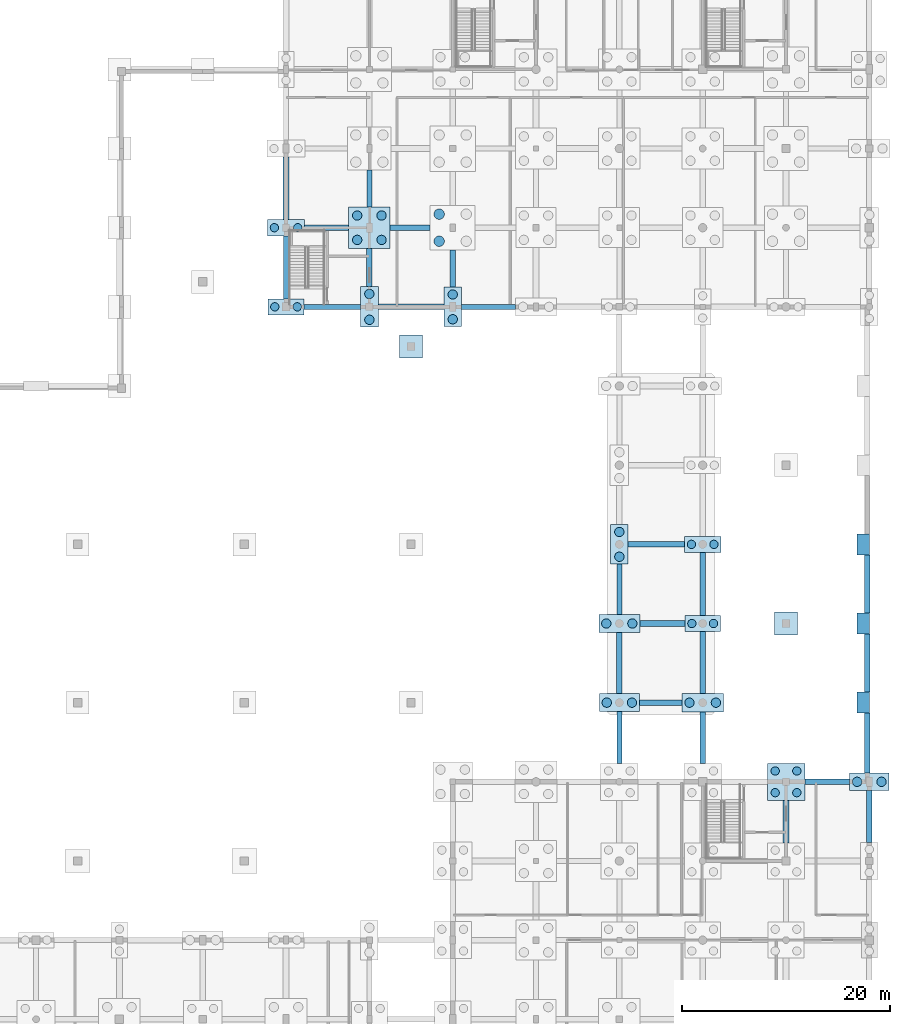
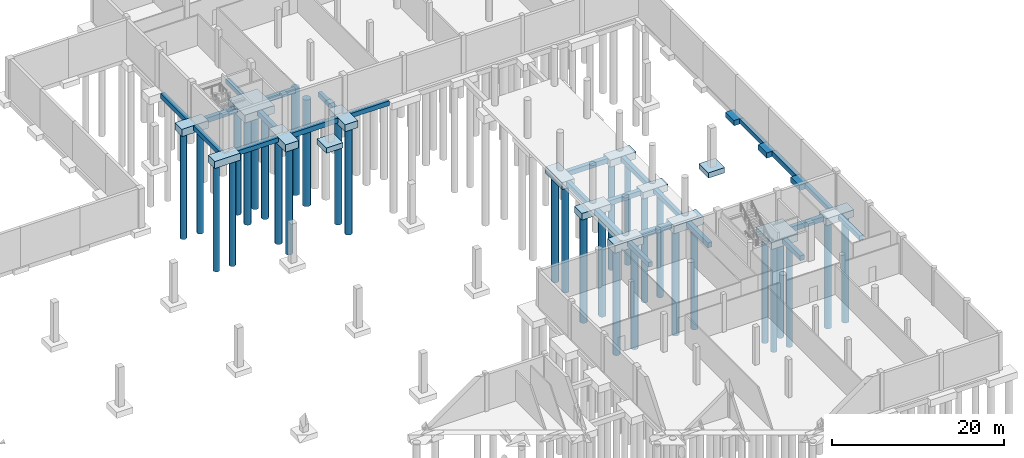
# One storey, part 14 of 44: 43 footings, 32 piles.
"""IFC4 building model written with IfcOpenShell, lengths in metres."""

import ifcopenshell
import ifcopenshell.guid

model = None  # the IFC model being written
_history = None  # IfcOwnerHistory: only IFC2X3 demands one
_inside = {}  # id of a spatial element -> (the spatial element, [elements in it])
_under = {}  # id of a project, library or spatial element -> (it, [spatial elements below it])
_declared = {}  # id of a project -> (the project, [libraries it declares])
_typed = {}  # id of a type object -> (the type object, [elements of that type])
_made_of = {}  # id of a material, layer set ... -> (it, [elements and type objects made of it])


def new_model(schema):
    """Start an empty IFC model of exactly this schema.

    Asked for "IFC4X3", IfcOpenShell would pick the latest addendum, in which some entities
    have other attributes; the version numbers below select the first issue.
    IFC2X3 requires an IfcOwnerHistory on every rooted entity: one is made here for all.
    """
    global model, _history
    if schema == "IFC4X3":
        model = ifcopenshell.file(schema_version=(4, 3, 0, 0))
    else:
        model = ifcopenshell.file(schema=schema)
    _inside.clear()
    _under.clear()
    _declared.clear()
    _typed.clear()
    _made_of.clear()
    _history = None
    if model.schema == "IFC2X3":
        org = make("IfcOrganization", Name="unknown")
        user = make(
            "IfcPersonAndOrganization",
            ThePerson=make("IfcPerson", FamilyName="unknown"),
            TheOrganization=org,
        )
        app = make(
            "IfcApplication",
            ApplicationDeveloper=org,
            Version="unknown",
            ApplicationFullName="unknown",
            ApplicationIdentifier="unknown",
        )
        _history = make(
            "IfcOwnerHistory",
            OwningUser=user,
            OwningApplication=app,
            ChangeAction="ADDED",
            CreationDate=0,
        )
    return model


def make(cls, **values):
    """One entity of the class cls with the attributes given. An attribute that is None is left unset."""
    return model.create_entity(
        cls, **{name: value for name, value in values.items() if value is not None}
    )


def rooted(cls, **values):
    """An entity with a GlobalId (a new one), such as an element, a storey or a relation."""
    return make(cls, GlobalId=ifcopenshell.guid.new(), OwnerHistory=_history, **values)


def si_unit(unit_type, name, prefix=None):
    """IfcSIUnit, for example si_unit("LENGTHUNIT", "METRE", prefix="MILLI")."""
    return make("IfcSIUnit", UnitType=unit_type, Prefix=prefix, Name=name)


def assignment(units):
    """IfcUnitAssignment: the units of a project."""
    return None if units is None else make("IfcUnitAssignment", Units=units)


def point(xyz):
    """IfcCartesianPoint."""
    return None if xyz is None else make("IfcCartesianPoint", Coordinates=xyz)


def direction(xyz):
    """IfcDirection."""
    return None if xyz is None else make("IfcDirection", DirectionRatios=xyz)


def frame(location, z_axis=None, x_axis=None):
    """IfcAxis2Placement3D, a coordinate frame: its origin and axes. An axis left out is left unset."""
    return make(
        "IfcAxis2Placement3D",
        Location=point(location),
        Axis=direction(z_axis),
        RefDirection=direction(x_axis),
    )


def frame_2d(location, x_axis=None):
    """IfcAxis2Placement2D, a coordinate frame in the plane: its origin and x axis."""
    return make(
        "IfcAxis2Placement2D", Location=point(location), RefDirection=direction(x_axis)
    )


def origin():
    """The frame at (0, 0, 0) with its axes left unset."""
    return frame((0.0, 0.0, 0.0))


def origin_2d():
    """The frame at (0, 0) in the plane with its x axis left unset."""
    return frame_2d((0.0, 0.0))


def place(relative_to, where):
    """IfcLocalPlacement: puts the frame where relative to a parent placement (None: the world)."""
    return make(
        "IfcLocalPlacement", PlacementRelTo=relative_to, RelativePlacement=where
    )


def context(
    kind, dimensions, precision=None, world=None, true_north=None, identifier=None
):
    """IfcGeometricRepresentationContext, for example the 3D "Model" context."""
    return make(
        "IfcGeometricRepresentationContext",
        ContextIdentifier=identifier,
        ContextType=kind,
        CoordinateSpaceDimension=dimensions,
        Precision=precision,
        WorldCoordinateSystem=world,
        TrueNorth=true_north,
    )


def subcontext(parent, identifier, kind, view, scale=None):
    """IfcGeometricRepresentationSubContext, for example "Body" below "Model"."""
    return make(
        "IfcGeometricRepresentationSubContext",
        ContextIdentifier=identifier,
        ContextType=kind,
        ParentContext=parent,
        TargetScale=scale,
        TargetView=view,
    )


def project(units=None, contexts=None):
    """IfcProject with its units and contexts."""
    return rooted(
        "IfcProject",
        Name="project",
        RepresentationContexts=contexts,
        UnitsInContext=assignment(units),
    )


def spatial(cls, under=None, at=None, **own):
    """A site, building, storey or space (cls), placed at a placement, below another one or the project."""
    s = rooted(cls, ObjectPlacement=at, **own)
    if under is not None:
        _under.setdefault(under.id(), (under, []))[1].append(s)
    return s


def polyline(points):
    """IfcPolyline through the points."""
    return make("IfcPolyline", Points=[point(p) for p in points])


def profile(cls, at=None, kind="AREA", **sizes):
    """A parametric profile (cls). Its sizes go by their IFC names, for example OverallWidth=200.0."""
    return make(cls, ProfileType=kind, Position=at, **sizes)


def circle(**sizes):
    """IfcCircleProfileDef."""
    return profile("IfcCircleProfileDef", **sizes)


def outline(outer, holes=None, kind="AREA"):
    """IfcArbitraryClosedProfileDef: a profile drawn as a closed curve; with holes, ...WithVoids."""
    if holes is None:
        return make("IfcArbitraryClosedProfileDef", ProfileType=kind, OuterCurve=outer)
    return make(
        "IfcArbitraryProfileDefWithVoids",
        ProfileType=kind,
        OuterCurve=outer,
        InnerCurves=holes,
    )


def extrude(swept, where, along, depth):
    """IfcExtrudedAreaSolid: the profile swept, set in the frame where, extruded along a direction by depth."""
    return make(
        "IfcExtrudedAreaSolid",
        SweptArea=swept,
        Position=where,
        ExtrudedDirection=direction(along),
        Depth=depth,
    )


def shape(context_of_items, identifier, shape_type, items):
    """IfcShapeRepresentation: the items that make up one representation, for example the "Body"."""
    return make(
        "IfcShapeRepresentation",
        ContextOfItems=context_of_items,
        RepresentationIdentifier=identifier,
        RepresentationType=shape_type,
        Items=items,
    )


def material(Name=None, Category=None):
    """IfcMaterial."""
    return make("IfcMaterial", Name=Name, Category=Category)


def material_profile(
    of_material, cross_section, Name=None, Category=None, Priority=None
):
    """IfcMaterialProfile: a cross section and its material."""
    return make(
        "IfcMaterialProfile",
        Name=Name,
        Material=of_material,
        Profile=cross_section,
        Priority=Priority,
        Category=Category,
    )


def profile_set(profiles, Name=None, composite=None):
    """IfcMaterialProfileSet."""
    return make(
        "IfcMaterialProfileSet",
        Name=Name,
        MaterialProfiles=profiles,
        CompositeProfile=composite,
    )


def made_of(thing, what):
    """Note that an element or type object is made of a material, layer set ...; save() writes the relation."""
    if what is not None:
        _made_of.setdefault(what.id(), (what, []))[1].append(thing)
    return thing


def type_object(cls, material=None, **own):
    """A type object (cls), such as IfcWallType, which elements share."""
    return made_of(rooted(cls, **own), material)


def element(
    cls,
    number,
    at=None,
    inside=None,
    cuts=None,
    type_object=None,
    material=None,
    context=None,
    identifier="Body",
    shape_type=None,
    held_by="IfcProductDefinitionShape",
    body=None,
    shapes=None,
    **own,
):
    """One element of the class cls, such as IfcWall. Its Tag is "e" and its number.

    at: its placement. inside: the storey or other place that contains it. cuts: it is an
    opening in that element (IfcRelVoidsElement). A single representation is given by context,
    identifier, shape_type and body (its items); several are given by shapes. held_by: the class
    of the entity that holds the representations. save() writes the other relations.
    """
    e = rooted(cls, Tag="e%d" % number, ObjectPlacement=at, **own)
    if body is not None:
        shapes = [shape(context, identifier, shape_type, body)]
    if shapes is not None:
        e.Representation = make(held_by, Representations=shapes)
    if inside is not None:
        _inside.setdefault(inside.id(), (inside, []))[1].append(e)
    if cuts is not None:
        rooted(
            "IfcRelVoidsElement", RelatingBuildingElement=cuts, RelatedOpeningElement=e
        )
    if type_object is not None:
        _typed.setdefault(type_object.id(), (type_object, []))[1].append(e)
    return made_of(e, material)


def aggregate(whole, parts):
    """IfcRelAggregates: a whole, such as a stair, and the parts it consists of."""
    return rooted("IfcRelAggregates", RelatingObject=whole, RelatedObjects=parts)


def save(model, path):
    """Write the relations noted so far, then the file.

    IfcRelAggregates (storeys below a building ...), IfcRelContainedInSpatialStructure (elements
    in a storey), IfcRelDefinesByType, IfcRelAssociatesMaterial and IfcRelDeclares: one each for
    every whole, place, type object, material and project.
    """
    for whole, parts in _under.values():
        aggregate(whole, parts)
    for where, things in _inside.values():
        rooted(
            "IfcRelContainedInSpatialStructure",
            RelatedElements=things,
            RelatingStructure=where,
        )
    for kind, things in _typed.values():
        rooted("IfcRelDefinesByType", RelatedObjects=things, RelatingType=kind)
    for what, things in _made_of.values():
        rooted("IfcRelAssociatesMaterial", RelatedObjects=things, RelatingMaterial=what)
    for by, libraries in _declared.values():
        rooted("IfcRelDeclares", RelatingContext=by, RelatedDefinitions=libraries)
    model.write(path)


model = new_model("IFC4")

# Units and contexts
model_context = context("Model", 3, precision=1e-05, world=origin(), true_north=direction((0.0, 1.0)))
body_context = subcontext(model_context, "Body", "Model", "MODEL_VIEW")
ifc_project = project(units=[si_unit("LENGTHUNIT", "METRE"), si_unit("AREAUNIT", "SQUARE_METRE"), si_unit("VOLUMEUNIT", "CUBIC_METRE"), si_unit("PLANEANGLEUNIT", "RADIAN"), si_unit("MASSUNIT", "GRAM", prefix="KILO")], contexts=[model_context])

# Site, building, storey
site_placement = place(None, origin())
site = spatial("IfcSite", under=ifc_project, at=site_placement, CompositionType="ELEMENT")
building_placement = place(site_placement, origin())
building = spatial("IfcBuilding", under=site, at=building_placement, Name="Khelvaren Railside Concert Hall", CompositionType="ELEMENT")
storey_placement = place(building_placement, frame((0.0, 0.0, -5.39990234375)))
storey = spatial("IfcBuildingStorey", under=building, at=storey_placement, Name="B1", CompositionType="ELEMENT", Elevation=-5.39990234375)

# Piles
ifc_material = material(Name="Concrete C35/45", Category="concrete")
ifc_material_profile_1 = material_profile(ifc_material, circle(Radius=0.449951171875, at=origin_2d()), Name="BP D900")
ifc_profile_set_1 = profile_set([ifc_material_profile_1], Name="Concrete C35/45")
pile_type_1 = type_object("IfcPileType", Name="BP51", PredefinedType="BORED", material=ifc_profile_set_1)
for number, where, z_axis, x_axis, name in (
    (1, (136.0, 82.360107421875, -1.4501953125), (0.0, 0.0, -1.0), (1.0, 0.0, 0.0), "Bored Pile BP51 PC-V5-154-1"),
    (2, (136.0, 84.840087890625, -1.4501953125), (0.0, 0.0, -1.0), (1.0, 0.0, 0.0), "Bored Pile BP51 PC-V5-154-2"),
):
    element("IfcPile", number, at=place(storey_placement, frame(where, z_axis=z_axis, x_axis=x_axis)), inside=storey, type_object=pile_type_1, Name=name, PredefinedType="BORED", context=body_context, shape_type="SweptSolid", body=[
        extrude(circle(Radius=0.449951171875, at=origin_2d()), origin(), (0.0, 0.0, 1.0), 15.14990234375),
    ])
for number, where, z_axis, x_axis, name in (
    (3, (134.830078125, 90.030029296875, -1.5), (0.0, 0.0, -1.0), (1.0, 0.0, 0.0), "Bored Pile BP51 PC-V5-155-1"),
    (4, (137.169921875, 90.030029296875, -1.5), (0.0, 0.0, -1.0), (1.0, 0.0, 0.0), "Bored Pile BP51 PC-V5-155-2"),
    (5, (134.830078125, 92.3701171875, -1.5), (0.0, 0.0, -1.0), (1.0, 0.0, 0.0), "Bored Pile BP51 PC-V5-155-3"),
    (6, (137.169921875, 92.3701171875, -1.5), (0.0, 0.0, -1.0), (1.0, 0.0, 0.0), "Bored Pile BP51 PC-V5-155-4"),
):
    element("IfcPile", number, at=place(storey_placement, frame(where, z_axis=z_axis, x_axis=x_axis)), inside=storey, type_object=pile_type_1, Name=name, PredefinedType="BORED", context=body_context, shape_type="SweptSolid", body=[
        extrude(circle(Radius=0.449951171875, at=origin_2d()), origin(), (0.0, 0.0, 1.0), 15.10009765625),
    ])
for number, where, z_axis, x_axis, name in (
    (7, (144.0, 82.409912109375, -1.400146484375), (0.0, 0.0, -1.0), (1.0, 0.0, 0.0), "Bored Pile BP51 PC-V5-165-1"),
    (8, (144.0, 84.7900390625, -1.400146484375), (0.0, 0.0, -1.0), (1.0, 0.0, 0.0), "Bored Pile BP51 PC-V5-165-2"),
):
    element("IfcPile", number, at=place(storey_placement, frame(where, z_axis=z_axis, x_axis=x_axis)), inside=storey, type_object=pile_type_1, Name=name, PredefinedType="BORED", context=body_context, shape_type="SweptSolid", body=[
        extrude(circle(Radius=0.449951171875, at=origin_2d()), origin(), (0.0, 0.0, 1.0), 15.199951171875),
    ])
for number, where, z_axis, x_axis, name in (
    (9, (158.7900390625, 45.60009765625, -1.5), (0.0, 0.0, -1.0), (1.0, 0.0, 0.0), "Bored Pile BP51 PC-LB4-187-1"),
    (10, (161.2099609375, 45.60009765625, -1.5), (0.0, 0.0, -1.0), (1.0, 0.0, 0.0), "Bored Pile BP51 PC-LB4-187-2"),
):
    element("IfcPile", number, at=place(storey_placement, frame(where, z_axis=z_axis, x_axis=x_axis)), inside=storey, type_object=pile_type_1, Name=name, PredefinedType="BORED", context=body_context, shape_type="SweptSolid", body=[
        extrude(circle(Radius=0.449951171875, at=origin_2d()), origin(), (0.0, 0.0, 1.0), 15.10009765625),
    ])
for number, where, z_axis, x_axis, name in (
    (11, (158.75, 53.199951171875, -1.35009765625), (0.0, 0.0, -1.0), (1.0, 0.0, 0.0), "Bored Pile BP51 PC-LB4-188-1"),
    (12, (161.25, 53.199951171875, -1.35009765625), (0.0, 0.0, -1.0), (1.0, 0.0, 0.0), "Bored Pile BP51 PC-LB4-188-2"),
):
    element("IfcPile", number, at=place(storey_placement, frame(where, z_axis=z_axis, x_axis=x_axis)), inside=storey, type_object=pile_type_1, Name=name, PredefinedType="BORED", context=body_context, shape_type="SweptSolid", body=[
        extrude(circle(Radius=0.449951171875, at=origin_2d()), origin(), (0.0, 0.0, 1.0), 15.25),
    ])
for number, where, z_axis, x_axis, name in (
    (13, (160.0, 59.610107421875, -1.400146484375), (0.0, 0.0, -1.0), (1.0, 0.0, 0.0), "Bored Pile BP51 PC-LB4-189-1"),
    (14, (160.0, 61.989990234375, -1.400146484375), (0.0, 0.0, -1.0), (1.0, 0.0, 0.0), "Bored Pile BP51 PC-LB4-189-2"),
):
    element("IfcPile", number, at=place(storey_placement, frame(where, z_axis=z_axis, x_axis=x_axis)), inside=storey, type_object=pile_type_1, Name=name, PredefinedType="BORED", context=body_context, shape_type="SweptSolid", body=[
        extrude(circle(Radius=0.449951171875, at=origin_2d()), origin(), (0.0, 0.0, 1.0), 15.199951171875),
    ])
for number, where, z_axis, x_axis, name in (
    (15, (166.72998046875, 45.60009765625, -1.5), (0.0, 0.0, -1.0), (1.0, 0.0, 0.0), "Bored Pile BP51 PC-LB4-203-1"),
    (16, (169.27001953125, 45.60009765625, -1.5), (0.0, 0.0, -1.0), (1.0, 0.0, 0.0), "Bored Pile BP51 PC-LB4-203-2"),
):
    element("IfcPile", number, at=place(storey_placement, frame(where, z_axis=z_axis, x_axis=x_axis)), inside=storey, type_object=pile_type_1, Name=name, PredefinedType="BORED", context=body_context, shape_type="SweptSolid", body=[
        extrude(circle(Radius=0.449951171875, at=origin_2d()), origin(), (0.0, 0.0, 1.0), 15.10009765625),
    ])
for number, where, z_axis, x_axis, name in (
    (17, (182.830078125, 38.0, -1.400146484375), (0.0, 0.0, -1.0), (1.0, 0.0, 0.0), "Bored Pile BP51 PC-V2-229-1"),
    (18, (185.169921875, 38.0, -1.400146484375), (0.0, 0.0, -1.0), (1.0, 0.0, 0.0), "Bored Pile BP51 PC-V2-229-2"),
):
    element("IfcPile", number, at=place(storey_placement, frame(where, z_axis=z_axis, x_axis=x_axis)), inside=storey, type_object=pile_type_1, Name=name, PredefinedType="BORED", context=body_context, shape_type="SweptSolid", body=[
        extrude(circle(Radius=0.449951171875, at=origin_2d()), origin(), (0.0, 0.0, 1.0), 15.199951171875),
    ])
ifc_material_profile_2 = material_profile(ifc_material, circle(Radius=0.39990234375, at=origin_2d()), Name="BP D800")
ifc_profile_set_2 = profile_set([ifc_material_profile_2], Name="Concrete C35/45")
pile_type_2 = type_object("IfcPileType", Name="BP84", PredefinedType="BORED", material=ifc_profile_set_2)
for number, where, z_axis, x_axis, name in (
    (19, (126.919921875, 83.60009765625, -1.400146484375), (0.0, 0.0, -1.0), (1.0, 0.0, 0.0), "Bored Pile BP84 PC-V5-145-1"),
    (20, (129.080078125, 83.60009765625, -1.400146484375), (0.0, 0.0, -1.0), (1.0, 0.0, 0.0), "Bored Pile BP84 PC-V5-145-2"),
):
    element("IfcPile", number, at=place(storey_placement, frame(where, z_axis=z_axis, x_axis=x_axis)), inside=storey, type_object=pile_type_2, Name=name, PredefinedType="BORED", context=body_context, shape_type="SweptSolid", body=[
        extrude(circle(Radius=0.39990234375, at=origin_2d()), origin(), (0.0, 0.0, 1.0), 15.199951171875),
    ])
for number, where, z_axis, x_axis, name in (
    (21, (126.8798828125, 91.199951171875, -1.4501953125), (0.0, 0.0, -1.0), (1.0, 0.0, 0.0), "Bored Pile BP84 PC-V5-146-1"),
    (22, (129.1201171875, 91.199951171875, -1.4501953125), (0.0, 0.0, -1.0), (1.0, 0.0, 0.0), "Bored Pile BP84 PC-V5-146-2"),
):
    element("IfcPile", number, at=place(storey_placement, frame(where, z_axis=z_axis, x_axis=x_axis)), inside=storey, type_object=pile_type_2, Name=name, PredefinedType="BORED", context=body_context, shape_type="SweptSolid", body=[
        extrude(circle(Radius=0.39990234375, at=origin_2d()), origin(), (0.0, 0.0, 1.0), 15.14990234375),
    ])
for number, where, z_axis, x_axis, name in (
    (23, (166.9599609375, 53.199951171875, -1.35009765625), (0.0, 0.0, -1.0), (1.0, 0.0, 0.0), "Bored Pile BP84 PC-LB4-204-1"),
    (24, (169.0400390625, 53.199951171875, -1.35009765625), (0.0, 0.0, -1.0), (1.0, 0.0, 0.0), "Bored Pile BP84 PC-LB4-204-2"),
):
    element("IfcPile", number, at=place(storey_placement, frame(where, z_axis=z_axis, x_axis=x_axis)), inside=storey, type_object=pile_type_2, Name=name, PredefinedType="BORED", context=body_context, shape_type="SweptSolid", body=[
        extrude(circle(Radius=0.39990234375, at=origin_2d()), origin(), (0.0, 0.0, 1.0), 15.25),
    ])
for number, where, z_axis, x_axis, name in (
    (25, (166.919921875, 60.800048828125, -1.400146484375), (0.0, 0.0, -1.0), (1.0, 0.0, 0.0), "Bored Pile BP84 PC-LB4-205-1"),
    (26, (169.080078125, 60.800048828125, -1.400146484375), (0.0, 0.0, -1.0), (1.0, 0.0, 0.0), "Bored Pile BP84 PC-LB4-205-2"),
):
    element("IfcPile", number, at=place(storey_placement, frame(where, z_axis=z_axis, x_axis=x_axis)), inside=storey, type_object=pile_type_2, Name=name, PredefinedType="BORED", context=body_context, shape_type="SweptSolid", body=[
        extrude(circle(Radius=0.39990234375, at=origin_2d()), origin(), (0.0, 0.0, 1.0), 15.199951171875),
    ])
for number, where, z_axis, x_axis, name in (
    (27, (174.9599609375, 36.9599609375, -1.4501953125), (0.0, 0.0, -1.0), (1.0, 0.0, 0.0), "Bored Pile BP84 PC-V2-218-1"),
    (28, (177.0400390625, 36.9599609375, -1.4501953125), (0.0, 0.0, -1.0), (1.0, 0.0, 0.0), "Bored Pile BP84 PC-V2-218-2"),
    (29, (174.9599609375, 39.0400390625, -1.4501953125), (0.0, 0.0, -1.0), (1.0, 0.0, 0.0), "Bored Pile BP84 PC-V2-218-3"),
    (30, (177.0400390625, 39.0400390625, -1.4501953125), (0.0, 0.0, -1.0), (1.0, 0.0, 0.0), "Bored Pile BP84 PC-V2-218-4"),
):
    element("IfcPile", number, at=place(storey_placement, frame(where, z_axis=z_axis, x_axis=x_axis)), inside=storey, type_object=pile_type_2, Name=name, PredefinedType="BORED", context=body_context, shape_type="SweptSolid", body=[
        extrude(circle(Radius=0.39990234375, at=origin_2d()), origin(), (0.0, 0.0, 1.0), 15.14990234375),
    ])
ifc_material_profile_3 = material_profile(ifc_material, circle(Radius=0.5, at=origin_2d()), Name="BP D1000")
ifc_profile_set_3 = profile_set([ifc_material_profile_3], Name="Concrete C35/45")
pile_type_3 = type_object("IfcPileType", Name="BP88", PredefinedType="BORED", material=ifc_profile_set_3)
for number, where, z_axis, x_axis, name in (
    (31, (142.699951171875, 89.89990234375, -1.4501953125), (0.0, 0.0, -1.0), (1.0, 0.0, 0.0), "Bored Pile BP88 PC-V5-166-1"),
    (32, (142.699951171875, 92.5, -1.4501953125), (0.0, 0.0, -1.0), (1.0, 0.0, 0.0), "Bored Pile BP88 PC-V5-166-3"),
):
    element("IfcPile", number, at=place(storey_placement, frame(where, z_axis=z_axis, x_axis=x_axis)), inside=storey, type_object=pile_type_3, Name=name, PredefinedType="BORED", context=body_context, shape_type="SweptSolid", body=[
        extrude(circle(Radius=0.5, at=origin_2d()), origin(), (0.0, 0.0, 1.0), 15.14990234375),
    ])

# Footings
footing_type_1 = type_object("IfcFootingType", Name="GB49", PredefinedType="FOOTING_BEAM", material=ifc_material)
footing_1_placement = place(storey_placement, frame((0.0, 0.0, -1.150146484375)))
element("IfcFooting", 33, at=footing_1_placement, inside=storey, type_object=footing_type_1, Name="Ground Tie Beam GB49 149", PredefinedType="FOOTING_BEAM", context=body_context, shape_type="SweptSolid", body=[
    extrude(outline(polyline([(129.739990234375, 83.35009765625), (135.125, 83.35009765625), (135.125, 83.85009765625), (129.739990234375, 83.85009765625), (129.739990234375, 83.35009765625)])), origin(), (0.0, 0.0, 1.0), 0.650146484375),
])
footing_2_placement = place(storey_placement, frame((0.0, 0.0, -1.150146484375)))
element("IfcFooting", 34, at=footing_2_placement, inside=storey, type_object=footing_type_1, Name="Ground Tie Beam GB49 151", PredefinedType="FOOTING_BEAM", context=body_context, shape_type="SweptSolid", body=[
    extrude(outline(polyline([(144.85009765625, 83.35009765625), (150.0400390625, 83.35009765625), (150.0400390625, 83.85009765625), (144.85009765625, 83.85009765625), (144.85009765625, 83.35009765625)])), origin(), (0.0, 0.0, 1.0), 0.650146484375),
])
footing_3_placement = place(storey_placement, frame((0.0, 0.0, -1.150146484375)))
element("IfcFooting", 35, at=footing_3_placement, inside=storey, type_object=footing_type_1, Name="Ground Tie Beam GB49 163", PredefinedType="FOOTING_BEAM", context=body_context, shape_type="SweptSolid", body=[
    extrude(outline(polyline([(138.0, 90.949951171875), (141.840087890625, 90.949951171875), (141.840087890625, 91.449951171875), (138.0, 91.449951171875), (138.0, 90.949951171875)])), origin(), (0.0, 0.0, 1.0), 0.650146484375),
])
footing_4_placement = place(storey_placement, frame((0.0, 0.0, -1.150146484375)))
element("IfcFooting", 36, at=footing_4_placement, inside=storey, type_object=footing_type_1, Name="Ground Tie Beam GB49 331", PredefinedType="FOOTING_BEAM", context=body_context, shape_type="SweptSolid", body=[
    extrude(outline(polyline([(127.75, 84.375), (128.25, 84.375), (128.25, 90.39990234375), (127.75, 90.39990234375), (127.75, 84.375)])), origin(), (0.0, 0.0, 1.0), 0.650146484375),
])
footing_5_placement = place(storey_placement, frame((0.0, 0.0, -1.150146484375)))
element("IfcFooting", 37, at=footing_5_placement, inside=storey, type_object=footing_type_1, Name="Ground Tie Beam GB49 339", PredefinedType="FOOTING_BEAM", context=body_context, shape_type="SweptSolid", body=[
    extrude(outline(polyline([(135.75, 93.179931640625), (136.25, 93.179931640625), (136.25, 96.719970703125), (135.75, 96.719970703125), (135.75, 93.179931640625)])), origin(), (0.0, 0.0, 1.0), 0.650146484375),
])
footing_6_placement = place(storey_placement, frame((0.0, 0.0, -1.150146484375)))
element("IfcFooting", 38, at=footing_6_placement, inside=storey, type_object=footing_type_1, Name="Ground Tie Beam GB49 347", PredefinedType="FOOTING_BEAM", context=body_context, shape_type="SweptSolid", body=[
    extrude(outline(polyline([(143.75, 85.5), (144.25, 85.5), (144.25, 89.06005859375), (143.75, 89.06005859375), (143.75, 85.5)])), origin(), (0.0, 0.0, 1.0), 0.650146484375),
])
footing_7_placement = place(storey_placement, frame((0.0, 0.0, -1.150146484375)))
element("IfcFooting", 39, at=footing_7_placement, inside=storey, type_object=footing_type_1, Name="Ground Tie Beam GB49 365", PredefinedType="FOOTING_BEAM", context=body_context, shape_type="SweptSolid", body=[
    extrude(outline(polyline([(159.75, 39.780029296875), (160.25, 39.780029296875), (160.25, 44.739990234375), (159.75, 44.739990234375), (159.75, 39.780029296875)])), origin(), (0.0, 0.0, 1.0), 0.650146484375),
])
footing_8_placement = place(storey_placement, frame((0.0, 0.0, -1.150146484375)))
element("IfcFooting", 40, at=footing_8_placement, inside=storey, type_object=footing_type_1, Name="Ground Tie Beam GB49 367", PredefinedType="FOOTING_BEAM", context=body_context, shape_type="SweptSolid", body=[
    extrude(outline(polyline([(159.75, 54.074951171875), (160.25, 54.074951171875), (160.25, 58.89990234375), (159.75, 58.89990234375), (159.75, 54.074951171875)])), origin(), (0.0, 0.0, 1.0), 0.650146484375),
])
footing_9_placement = place(storey_placement, frame((0.0, 0.0, -1.150146484375)))
element("IfcFooting", 41, at=footing_9_placement, inside=storey, type_object=footing_type_1, Name="Ground Tie Beam GB49 381", PredefinedType="FOOTING_BEAM", context=body_context, shape_type="SweptSolid", body=[
    extrude(outline(polyline([(167.75, 46.47509765625), (168.25, 46.47509765625), (168.25, 52.449951171875), (167.75, 52.449951171875), (167.75, 46.47509765625)])), origin(), (0.0, 0.0, 1.0), 0.650146484375),
])
footing_10_placement = place(storey_placement, frame((0.0, 0.0, -1.150146484375)))
element("IfcFooting", 42, at=footing_10_placement, inside=storey, type_object=footing_type_1, Name="Ground Tie Beam GB49 403", PredefinedType="FOOTING_BEAM", context=body_context, shape_type="SweptSolid", body=[
    extrude(outline(polyline([(183.75, 32.169921875), (184.25, 32.169921875), (184.25, 37.14990234375), (183.75, 37.14990234375), (183.75, 32.169921875)])), origin(), (0.0, 0.0, 1.0), 0.650146484375),
])
footing_11_placement = place(storey_placement, frame((0.0, 0.0, -1.150146484375)))
element("IfcFooting", 43, at=footing_11_placement, inside=storey, type_object=footing_type_1, Name="Ground Tie Beam GB49 425", PredefinedType="FOOTING_BEAM", context=body_context, shape_type="SweptSolid", body=[
    extrude(outline(polyline([(183.550048828125, 38.85009765625), (184.050048828125, 38.85009765625), (184.050048828125, 44.60009765625), (183.550048828125, 44.60009765625), (183.550048828125, 38.85009765625)])), origin(), (0.0, 0.0, 1.0), 0.650146484375),
])
footing_12_placement = place(storey_placement, frame((0.0, 0.0, -1.150146484375)))
element("IfcFooting", 44, at=footing_12_placement, inside=storey, type_object=footing_type_1, Name="Ground Tie Beam GB49 427", PredefinedType="FOOTING_BEAM", context=body_context, shape_type="SweptSolid", body=[
    extrude(outline(polyline([(183.550048828125, 54.199951171875), (184.050048828125, 54.199951171875), (184.050048828125, 59.800048828125), (183.550048828125, 59.800048828125), (183.550048828125, 54.199951171875)])), origin(), (0.0, 0.0, 1.0), 0.650146484375),
])
footing_type_2 = type_object("IfcFootingType", Name="GB57", PredefinedType="FOOTING_BEAM", material=ifc_material)
footing_13_placement = place(storey_placement, frame((0.0, 0.0, -1.2001953125)))
element("IfcFooting", 45, at=footing_13_placement, inside=storey, type_object=footing_type_2, Name="Ground Tie Beam GB57 116", PredefinedType="FOOTING_BEAM", context=body_context, shape_type="SweptSolid", body=[
    extrude(outline(polyline([(177.800048828125, 37.72509765625), (182.1201171875, 37.72509765625), (182.1201171875, 38.27490234375), (177.800048828125, 38.27490234375), (177.800048828125, 37.72509765625)])), origin(), (0.0, 0.0, 1.0), 0.7001953125),
])
footing_14_placement = place(storey_placement, frame((0.0, 0.0, -1.2001953125)))
element("IfcFooting", 46, at=footing_14_placement, inside=storey, type_object=footing_type_2, Name="Ground Tie Beam GB57 124", PredefinedType="FOOTING_BEAM", context=body_context, shape_type="SweptSolid", body=[
    extrude(outline(polyline([(161.919921875, 45.324951171875), (166.02001953125, 45.324951171875), (166.02001953125, 45.875), (161.919921875, 45.875), (161.919921875, 45.324951171875)])), origin(), (0.0, 0.0, 1.0), 0.7001953125),
])
footing_15_placement = place(storey_placement, frame((0.0, 0.0, -1.2001953125)))
element("IfcFooting", 47, at=footing_15_placement, inside=storey, type_object=footing_type_2, Name="Ground Tie Beam GB57 126", PredefinedType="FOOTING_BEAM", context=body_context, shape_type="SweptSolid", body=[
    extrude(outline(polyline([(161.9599609375, 52.925048828125), (166.300048828125, 52.925048828125), (166.300048828125, 53.47509765625), (161.9599609375, 53.47509765625), (161.9599609375, 52.925048828125)])), origin(), (0.0, 0.0, 1.0), 0.7001953125),
])
footing_16_placement = place(storey_placement, frame((0.0, 0.0, -1.2001953125)))
element("IfcFooting", 48, at=footing_16_placement, inside=storey, type_object=footing_type_2, Name="Ground Tie Beam GB57 128", PredefinedType="FOOTING_BEAM", context=body_context, shape_type="SweptSolid", body=[
    extrude(outline(polyline([(160.85009765625, 60.52490234375), (166.260009765625, 60.52490234375), (166.260009765625, 61.074951171875), (160.85009765625, 61.074951171875), (160.85009765625, 60.52490234375)])), origin(), (0.0, 0.0, 1.0), 0.7001953125),
])
footing_17_placement = place(storey_placement, frame((0.0, 0.0, -1.2001953125)))
element("IfcFooting", 49, at=footing_17_placement, inside=storey, type_object=footing_type_2, Name="Ground Tie Beam GB57 150", PredefinedType="FOOTING_BEAM", context=body_context, shape_type="SweptSolid", body=[
    extrude(outline(polyline([(136.875, 83.324951171875), (143.14990234375, 83.324951171875), (143.14990234375, 83.875), (136.875, 83.875), (136.875, 83.324951171875)])), origin(), (0.0, 0.0, 1.0), 0.7001953125),
])
footing_18_placement = place(storey_placement, frame((0.0, 0.0, -1.2001953125)))
element("IfcFooting", 50, at=footing_18_placement, inside=storey, type_object=footing_type_2, Name="Ground Tie Beam GB57 162", PredefinedType="FOOTING_BEAM", context=body_context, shape_type="SweptSolid", body=[
    extrude(outline(polyline([(129.780029296875, 90.925048828125), (134.0, 90.925048828125), (134.0, 91.47509765625), (129.780029296875, 91.47509765625), (129.780029296875, 90.925048828125)])), origin(), (0.0, 0.0, 1.0), 0.7001953125),
])
footing_19_placement = place(storey_placement, frame((0.0, 0.0, -1.2001953125)))
element("IfcFooting", 51, at=footing_19_placement, inside=storey, type_object=footing_type_2, Name="Ground Tie Beam GB57 332", PredefinedType="FOOTING_BEAM", context=body_context, shape_type="SweptSolid", body=[
    extrude(outline(polyline([(127.72509765625, 92.0), (128.27490234375, 92.0), (128.27490234375, 97.97509765625), (127.72509765625, 97.97509765625), (127.72509765625, 92.0)])), origin(), (0.0, 0.0, 1.0), 0.7001953125),
])
footing_20_placement = place(storey_placement, frame((0.0, 0.0, -1.2001953125)))
element("IfcFooting", 52, at=footing_20_placement, inside=storey, type_object=footing_type_2, Name="Ground Tie Beam GB57 338", PredefinedType="FOOTING_BEAM", context=body_context, shape_type="SweptSolid", body=[
    extrude(outline(polyline([(135.72509765625, 85.550048828125), (136.27490234375, 85.550048828125), (136.27490234375, 89.219970703125), (135.72509765625, 89.219970703125), (135.72509765625, 85.550048828125)])), origin(), (0.0, 0.0, 1.0), 0.7001953125),
])
footing_21_placement = place(storey_placement, frame((0.0, 0.0, -1.2001953125)))
element("IfcFooting", 53, at=footing_21_placement, inside=storey, type_object=footing_type_2, Name="Ground Tie Beam GB57 366", PredefinedType="FOOTING_BEAM", context=body_context, shape_type="SweptSolid", body=[
    extrude(outline(polyline([(159.72509765625, 46.4599609375), (160.27490234375, 46.4599609375), (160.27490234375, 52.324951171875), (159.72509765625, 52.324951171875), (159.72509765625, 46.4599609375)])), origin(), (0.0, 0.0, 1.0), 0.7001953125),
])
footing_22_placement = place(storey_placement, frame((0.0, 0.0, -1.2001953125)))
element("IfcFooting", 54, at=footing_22_placement, inside=storey, type_object=footing_type_2, Name="Ground Tie Beam GB57 380", PredefinedType="FOOTING_BEAM", context=body_context, shape_type="SweptSolid", body=[
    extrude(outline(polyline([(167.72509765625, 39.780029296875), (168.27490234375, 39.780029296875), (168.27490234375, 44.72509765625), (167.72509765625, 44.72509765625), (167.72509765625, 39.780029296875)])), origin(), (0.0, 0.0, 1.0), 0.7001953125),
])
footing_23_placement = place(storey_placement, frame((0.0, 0.0, -1.2001953125)))
element("IfcFooting", 55, at=footing_23_placement, inside=storey, type_object=footing_type_2, Name="Ground Tie Beam GB57 382", PredefinedType="FOOTING_BEAM", context=body_context, shape_type="SweptSolid", body=[
    extrude(outline(polyline([(167.72509765625, 53.949951171875), (168.27490234375, 53.949951171875), (168.27490234375, 60.02490234375), (167.72509765625, 60.02490234375), (167.72509765625, 53.949951171875)])), origin(), (0.0, 0.0, 1.0), 0.7001953125),
])
footing_24_placement = place(storey_placement, frame((0.0, 0.0, -1.2001953125)))
element("IfcFooting", 56, at=footing_24_placement, inside=storey, type_object=footing_type_2, Name="Ground Tie Beam GB57 394", PredefinedType="FOOTING_BEAM", context=body_context, shape_type="SweptSolid", body=[
    extrude(outline(polyline([(175.72509765625, 32.139892578125), (176.27490234375, 32.139892578125), (176.27490234375, 36.219970703125), (175.72509765625, 36.219970703125), (175.72509765625, 32.139892578125)])), origin(), (0.0, 0.0, 1.0), 0.7001953125),
])
footing_25_placement = place(storey_placement, frame((0.0, 0.0, -1.2001953125)))
element("IfcFooting", 57, at=footing_25_placement, inside=storey, type_object=footing_type_2, Name="Ground Tie Beam GB57 426", PredefinedType="FOOTING_BEAM", context=body_context, shape_type="SweptSolid", body=[
    extrude(outline(polyline([(183.52490234375, 46.60009765625), (184.074951171875, 46.60009765625), (184.074951171875, 52.199951171875), (183.52490234375, 52.199951171875), (183.52490234375, 46.60009765625)])), origin(), (0.0, 0.0, 1.0), 0.7001953125),
])
footing_type_3 = type_object("IfcFootingType", Name="PC23", PredefinedType="PILE_CAP", material=ifc_material)
footing_26_placement = place(storey_placement, frame((0.0, 0.0, -1.4501953125)))
element("IfcFooting", 58, at=footing_26_placement, inside=storey, type_object=footing_type_3, Name="Pile Cap PC23 (160.0,53.2)", PredefinedType="PILE_CAP", context=body_context, shape_type="SweptSolid", body=[
    extrude(outline(polyline([(158.0400390625, 52.324951171875), (161.9599609375, 52.324951171875), (161.9599609375, 54.074951171875), (158.0400390625, 54.074951171875), (158.0400390625, 52.324951171875)])), origin(), (0.0, 0.0, 1.0), 0.9501953125),
])
footing_type_4 = type_object("IfcFootingType", Name="PC25", PredefinedType="PILE_CAP", material=ifc_material)
footing_27_placement = place(storey_placement, frame((0.0, 0.0, -1.60009765625)))
element("IfcFooting", 59, at=footing_27_placement, inside=storey, type_object=footing_type_4, Name="Pile Cap PC25 (160.0,45.6)", PredefinedType="PILE_CAP", context=body_context, shape_type="SweptSolid", body=[
    extrude(outline(polyline([(158.080078125, 44.739990234375), (161.919921875, 44.739990234375), (161.919921875, 46.4599609375), (158.080078125, 46.4599609375), (158.080078125, 44.739990234375)])), origin(), (0.0, 0.0, 1.0), 1.10009765625),
])
footing_type_5 = type_object("IfcFootingType", Name="PC28", PredefinedType="PILE_CAP", material=ifc_material)
footing_28_placement = place(storey_placement, frame((0.0, 0.0, -1.60009765625)))
element("IfcFooting", 60, at=footing_28_placement, inside=storey, type_object=footing_type_5, Name="Pile Cap PC28 (168.0,45.6)", PredefinedType="PILE_CAP", context=body_context, shape_type="SweptSolid", body=[
    extrude(outline(polyline([(166.02001953125, 44.72509765625), (169.97998046875, 44.72509765625), (169.97998046875, 46.47509765625), (166.02001953125, 46.47509765625), (166.02001953125, 44.72509765625)])), origin(), (0.0, 0.0, 1.0), 1.10009765625),
])
footing_type_6 = type_object("IfcFootingType", Name="PC41", PredefinedType="PILE_CAP", material=ifc_material)
footing_29_placement = place(storey_placement, frame((0.0, 0.0, -1.550048828125)))
element("IfcFooting", 61, at=footing_29_placement, inside=storey, type_object=footing_type_6, Name="Pile Cap PC41 (136.0,83.6)", PredefinedType="PILE_CAP", context=body_context, shape_type="SweptSolid", body=[
    extrude(outline(polyline([(135.125, 81.64990234375), (136.875, 81.64990234375), (136.875, 85.550048828125), (135.125, 85.550048828125), (135.125, 81.64990234375)])), origin(), (0.0, 0.0, 1.0), 1.050048828125),
])
footing_type_7 = type_object("IfcFootingType", Name="PC51", PredefinedType="PILE_CAP", material=ifc_material)
footing_30_placement = place(storey_placement, frame((0.0, 0.0, -1.60009765625)))
element("IfcFooting", 62, at=footing_30_placement, inside=storey, type_object=footing_type_7, Name="Pile Cap PC51 (136.0,91.2)", PredefinedType="PILE_CAP", context=body_context, shape_type="SweptSolid", body=[
    extrude(outline(polyline([(134.0, 89.219970703125), (138.0, 89.219970703125), (138.0, 93.179931640625), (134.0, 93.179931640625), (134.0, 89.219970703125)])), origin(), (0.0, 0.0, 1.0), 1.10009765625),
])
footing_type_8 = type_object("IfcFootingType", Name="PC68", PredefinedType="PILE_CAP", material=ifc_material)
footing_31_placement = place(storey_placement, frame((0.0, 0.0, -1.4501953125)))
element("IfcFooting", 63, at=footing_31_placement, inside=storey, type_object=footing_type_8, Name="Pile Cap PC68 (168.0,53.2)", PredefinedType="PILE_CAP", context=body_context, shape_type="SweptSolid", body=[
    extrude(outline(polyline([(166.300048828125, 52.449951171875), (169.699951171875, 52.449951171875), (169.699951171875, 53.949951171875), (166.300048828125, 53.949951171875), (166.300048828125, 52.449951171875)])), origin(), (0.0, 0.0, 1.0), 0.9501953125),
])
footing_type_9 = type_object("IfcFootingType", Name="PC72", PredefinedType="PILE_CAP", material=ifc_material)
footing_32_placement = place(storey_placement, frame((0.0, 0.0, -1.5)))
element("IfcFooting", 64, at=footing_32_placement, inside=storey, type_object=footing_type_9, Name="Pile Cap PC72 (144.0,83.6)", PredefinedType="PILE_CAP", context=body_context, shape_type="SweptSolid", body=[
    extrude(outline(polyline([(143.14990234375, 81.699951171875), (144.85009765625, 81.699951171875), (144.85009765625, 85.5), (143.14990234375, 85.5), (143.14990234375, 81.699951171875)])), origin(), (0.0, 0.0, 1.0), 1.0),
])
footing_33_placement = place(storey_placement, frame((0.0, 0.0, -1.5)))
element("IfcFooting", 65, at=footing_33_placement, inside=storey, type_object=footing_type_9, Name="Pile Cap PC72 (160.0,60.8)", PredefinedType="PILE_CAP", context=body_context, shape_type="SweptSolid", body=[
    extrude(outline(polyline([(159.14990234375, 58.89990234375), (160.85009765625, 58.89990234375), (160.85009765625, 62.699951171875), (159.14990234375, 62.699951171875), (159.14990234375, 58.89990234375)])), origin(), (0.0, 0.0, 1.0), 1.0),
])
footing_type_10 = type_object("IfcFootingType", Name="PC85", PredefinedType="PILE_CAP", material=ifc_material)
footing_34_placement = place(storey_placement, frame((0.0, 0.0, -1.5)))
element("IfcFooting", 66, at=footing_34_placement, inside=storey, type_object=footing_type_10, Name="Pile Cap PC85 (184.0,38.0)", PredefinedType="PILE_CAP", context=body_context, shape_type="SweptSolid", body=[
    extrude(outline(polyline([(182.1201171875, 37.14990234375), (185.8798828125, 37.14990234375), (185.8798828125, 38.85009765625), (182.1201171875, 38.85009765625), (182.1201171875, 37.14990234375)])), origin(), (0.0, 0.0, 1.0), 1.0),
])
footing_type_11 = type_object("IfcFootingType", Name="PC86", PredefinedType="PILE_CAP", material=ifc_material)
footing_35_placement = place(storey_placement, frame((0.0, 0.0, -1.550048828125)))
element("IfcFooting", 67, at=footing_35_placement, inside=storey, type_object=footing_type_11, Name="Pile Cap PC86 (128.0,91.2)", PredefinedType="PILE_CAP", context=body_context, shape_type="SweptSolid", body=[
    extrude(outline(polyline([(126.219970703125, 90.39990234375), (129.780029296875, 90.39990234375), (129.780029296875, 92.0), (126.219970703125, 92.0), (126.219970703125, 90.39990234375)])), origin(), (0.0, 0.0, 1.0), 1.050048828125),
])
footing_type_12 = type_object("IfcFootingType", Name="PC90", PredefinedType="PILE_CAP", material=ifc_material)
footing_36_placement = place(storey_placement, frame((0.0, 0.0, -1.550048828125)))
element("IfcFooting", 68, at=footing_36_placement, inside=storey, type_object=footing_type_12, Name="Pile Cap PC90 (176.0,38.0)", PredefinedType="PILE_CAP", context=body_context, shape_type="SweptSolid", body=[
    extrude(outline(polyline([(174.199951171875, 36.219970703125), (177.800048828125, 36.219970703125), (177.800048828125, 39.780029296875), (174.199951171875, 39.780029296875), (174.199951171875, 36.219970703125)])), origin(), (0.0, 0.0, 1.0), 1.050048828125),
])
footing_type_13 = type_object("IfcFootingType", Name="PC93", PredefinedType="PILE_CAP", material=ifc_material)
footing_37_placement = place(storey_placement, frame((0.0, 0.0, -1.5)))
element("IfcFooting", 69, at=footing_37_placement, inside=storey, type_object=footing_type_13, Name="Pile Cap PC93 (128.0,83.6)", PredefinedType="PILE_CAP", context=body_context, shape_type="SweptSolid", body=[
    extrude(outline(polyline([(126.260009765625, 82.824951171875), (129.739990234375, 82.824951171875), (129.739990234375, 84.375), (126.260009765625, 84.375), (126.260009765625, 82.824951171875)])), origin(), (0.0, 0.0, 1.0), 1.0),
])
footing_38_placement = place(storey_placement, frame((0.0, 0.0, -1.5)))
element("IfcFooting", 70, at=footing_38_placement, inside=storey, type_object=footing_type_13, Name="Pile Cap PC93 (168.0,60.8)", PredefinedType="PILE_CAP", context=body_context, shape_type="SweptSolid", body=[
    extrude(outline(polyline([(166.260009765625, 60.02490234375), (169.739990234375, 60.02490234375), (169.739990234375, 61.574951171875), (166.260009765625, 61.574951171875), (166.260009765625, 60.02490234375)])), origin(), (0.0, 0.0, 1.0), 1.0),
])
footing_type_14 = type_object("IfcFootingType", Name="PF31", PredefinedType="PAD_FOOTING", material=ifc_material)
footing_39_placement = place(storey_placement, frame((0.0, 0.0, -1.25)))
element("IfcFooting", 71, at=footing_39_placement, inside=storey, type_object=footing_type_14, Name="Pad Footing PF31 42", PredefinedType="PAD_FOOTING", context=body_context, shape_type="SweptSolid", body=[
    extrude(outline(polyline([(174.89990234375, 52.10009765625), (177.10009765625, 52.10009765625), (177.10009765625, 54.300048828125), (174.89990234375, 54.300048828125), (174.89990234375, 52.10009765625)])), origin(), (0.0, 0.0, 1.0), 0.75),
])
footing_40_placement = place(storey_placement, frame((0.0, 0.0, -1.25)))
element("IfcFooting", 72, at=footing_40_placement, inside=storey, type_object=footing_type_14, Name="Pad Footing PF31 44", PredefinedType="PAD_FOOTING", context=body_context, shape_type="SweptSolid", body=[
    extrude(outline(polyline([(138.89990234375, 78.699951171875), (141.10009765625, 78.699951171875), (141.10009765625, 80.89990234375), (138.89990234375, 80.89990234375), (138.89990234375, 78.699951171875)])), origin(), (0.0, 0.0, 1.0), 0.75),
])
footing_type_15 = type_object("IfcFootingType", Name="PF71", PredefinedType="PAD_FOOTING", material=ifc_material)
footing_41_placement = place(storey_placement, frame((0.0, 0.0, -1.25)))
element("IfcFooting", 73, at=footing_41_placement, inside=storey, type_object=footing_type_15, Name="Pad Footing PF71 20", PredefinedType="PAD_FOOTING", context=body_context, shape_type="SweptSolid", body=[
    extrude(outline(polyline([(182.800048828125, 44.60009765625), (184.0, 44.60009765625), (184.0, 46.60009765625), (182.800048828125, 46.60009765625), (182.800048828125, 44.60009765625)])), origin(), (0.0, 0.0, 1.0), 0.75),
])
footing_42_placement = place(storey_placement, frame((0.0, 0.0, -1.25)))
element("IfcFooting", 74, at=footing_42_placement, inside=storey, type_object=footing_type_15, Name="Pad Footing PF71 21", PredefinedType="PAD_FOOTING", context=body_context, shape_type="SweptSolid", body=[
    extrude(outline(polyline([(182.800048828125, 52.199951171875), (184.0, 52.199951171875), (184.0, 54.199951171875), (182.800048828125, 54.199951171875), (182.800048828125, 52.199951171875)])), origin(), (0.0, 0.0, 1.0), 0.75),
])
footing_43_placement = place(storey_placement, frame((0.0, 0.0, -1.25)))
element("IfcFooting", 75, at=footing_43_placement, inside=storey, type_object=footing_type_15, Name="Pad Footing PF71 22", PredefinedType="PAD_FOOTING", context=body_context, shape_type="SweptSolid", body=[
    extrude(outline(polyline([(182.800048828125, 59.800048828125), (184.0, 59.800048828125), (184.0, 61.800048828125), (182.800048828125, 61.800048828125), (182.800048828125, 59.800048828125)])), origin(), (0.0, 0.0, 1.0), 0.75),
])

save(model, "model.ifc")
